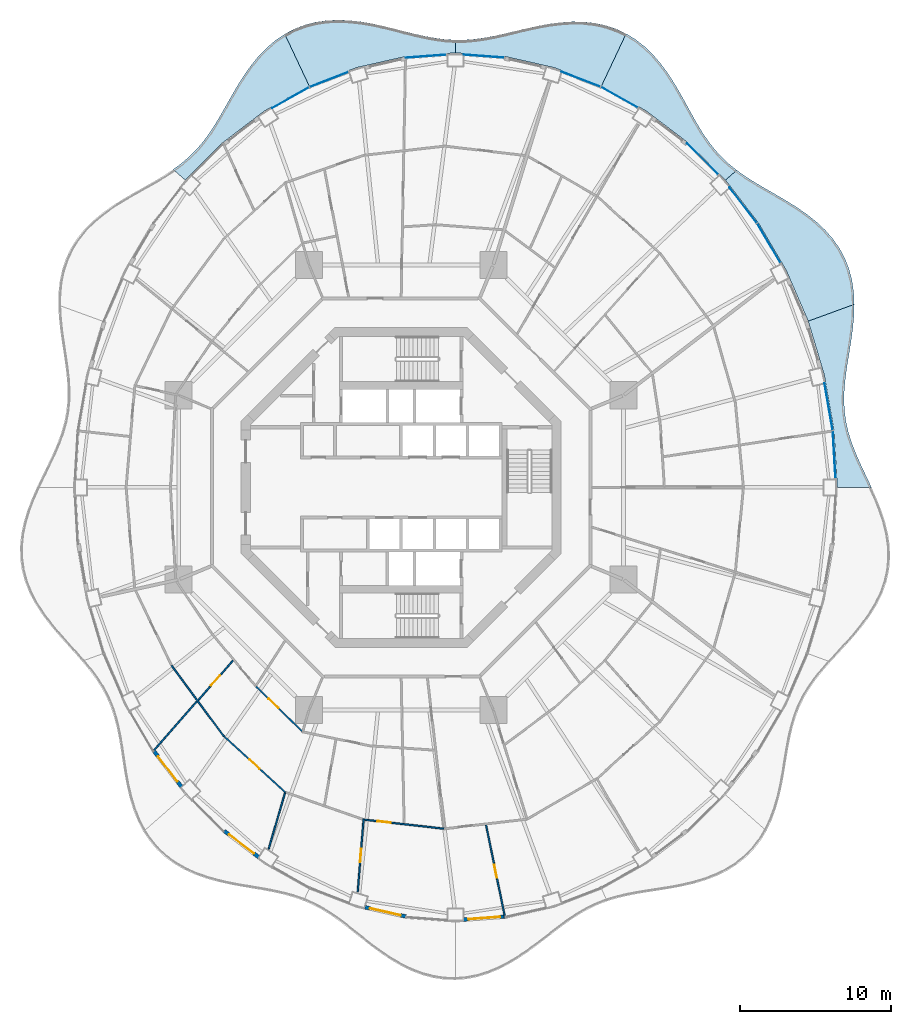
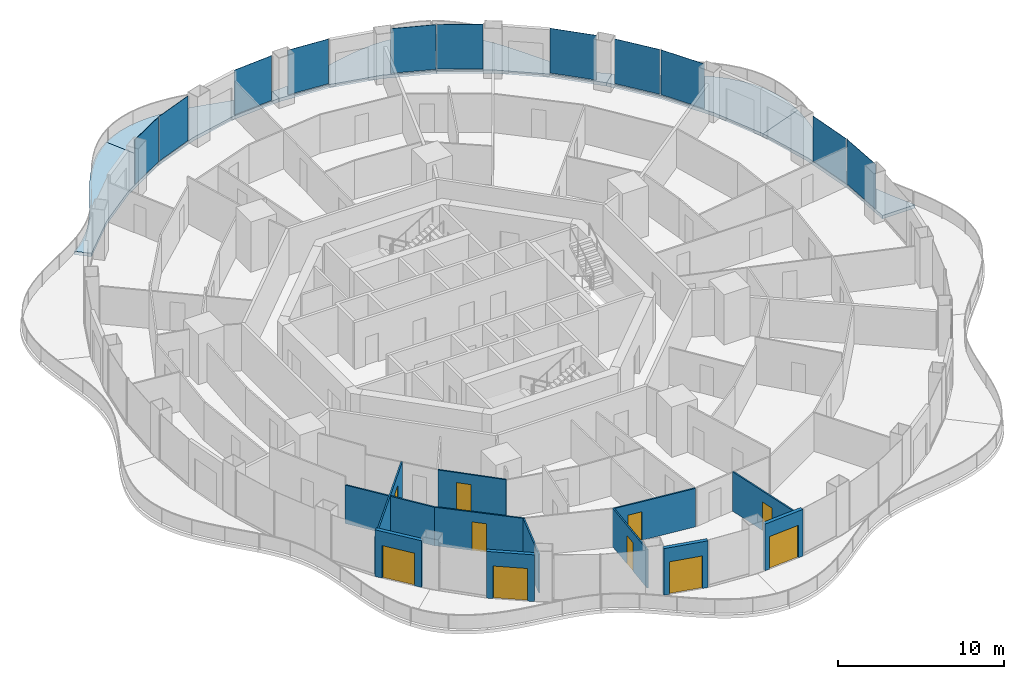
# One storey, part 10 of 19: 12 walls, 11 plates, 10 doors, 6 slabs, 10 openings, 11 elements without a shape of their own.
"""IFC4 building model written with IfcOpenShell, lengths in metres."""

import ifcopenshell
import ifcopenshell.guid

model = None  # the IFC model being written
_history = None  # IfcOwnerHistory: only IFC2X3 demands one
_inside = {}  # id of a spatial element -> (the spatial element, [elements in it])
_under = {}  # id of a project, library or spatial element -> (it, [spatial elements below it])
_declared = {}  # id of a project -> (the project, [libraries it declares])
_typed = {}  # id of a type object -> (the type object, [elements of that type])
_made_of = {}  # id of a material, layer set ... -> (it, [elements and type objects made of it])


def new_model(schema):
    """Start an empty IFC model of exactly this schema.

    Asked for "IFC4X3", IfcOpenShell would pick the latest addendum, in which some entities
    have other attributes; the version numbers below select the first issue.
    IFC2X3 requires an IfcOwnerHistory on every rooted entity: one is made here for all.
    """
    global model, _history
    if schema == "IFC4X3":
        model = ifcopenshell.file(schema_version=(4, 3, 0, 0))
    else:
        model = ifcopenshell.file(schema=schema)
    _inside.clear()
    _under.clear()
    _declared.clear()
    _typed.clear()
    _made_of.clear()
    _history = None
    if model.schema == "IFC2X3":
        org = make("IfcOrganization", Name="unknown")
        user = make(
            "IfcPersonAndOrganization",
            ThePerson=make("IfcPerson", FamilyName="unknown"),
            TheOrganization=org,
        )
        app = make(
            "IfcApplication",
            ApplicationDeveloper=org,
            Version="unknown",
            ApplicationFullName="unknown",
            ApplicationIdentifier="unknown",
        )
        _history = make(
            "IfcOwnerHistory",
            OwningUser=user,
            OwningApplication=app,
            ChangeAction="ADDED",
            CreationDate=0,
        )
    return model


def make(cls, **values):
    """One entity of the class cls with the attributes given. An attribute that is None is left unset."""
    return model.create_entity(
        cls, **{name: value for name, value in values.items() if value is not None}
    )


def rooted(cls, **values):
    """An entity with a GlobalId (a new one), such as an element, a storey or a relation."""
    return make(cls, GlobalId=ifcopenshell.guid.new(), OwnerHistory=_history, **values)


def si_unit(unit_type, name, prefix=None):
    """IfcSIUnit, for example si_unit("LENGTHUNIT", "METRE", prefix="MILLI")."""
    return make("IfcSIUnit", UnitType=unit_type, Prefix=prefix, Name=name)


def assignment(units):
    """IfcUnitAssignment: the units of a project."""
    return None if units is None else make("IfcUnitAssignment", Units=units)


def point(xyz):
    """IfcCartesianPoint."""
    return None if xyz is None else make("IfcCartesianPoint", Coordinates=xyz)


def direction(xyz):
    """IfcDirection."""
    return None if xyz is None else make("IfcDirection", DirectionRatios=xyz)


def frame(location, z_axis=None, x_axis=None):
    """IfcAxis2Placement3D, a coordinate frame: its origin and axes. An axis left out is left unset."""
    return make(
        "IfcAxis2Placement3D",
        Location=point(location),
        Axis=direction(z_axis),
        RefDirection=direction(x_axis),
    )


def frame_2d(location, x_axis=None):
    """IfcAxis2Placement2D, a coordinate frame in the plane: its origin and x axis."""
    return make(
        "IfcAxis2Placement2D", Location=point(location), RefDirection=direction(x_axis)
    )


def origin():
    """The frame at (0, 0, 0) with its axes left unset."""
    return frame((0.0, 0.0, 0.0))


def origin_2d():
    """The frame at (0, 0) in the plane with its x axis left unset."""
    return frame_2d((0.0, 0.0))


def place(relative_to, where):
    """IfcLocalPlacement: puts the frame where relative to a parent placement (None: the world)."""
    return make(
        "IfcLocalPlacement", PlacementRelTo=relative_to, RelativePlacement=where
    )


def context(
    kind, dimensions, precision=None, world=None, true_north=None, identifier=None
):
    """IfcGeometricRepresentationContext, for example the 3D "Model" context."""
    return make(
        "IfcGeometricRepresentationContext",
        ContextIdentifier=identifier,
        ContextType=kind,
        CoordinateSpaceDimension=dimensions,
        Precision=precision,
        WorldCoordinateSystem=world,
        TrueNorth=true_north,
    )


def subcontext(parent, identifier, kind, view, scale=None):
    """IfcGeometricRepresentationSubContext, for example "Body" below "Model"."""
    return make(
        "IfcGeometricRepresentationSubContext",
        ContextIdentifier=identifier,
        ContextType=kind,
        ParentContext=parent,
        TargetScale=scale,
        TargetView=view,
    )


def project(units=None, contexts=None):
    """IfcProject with its units and contexts."""
    return rooted(
        "IfcProject",
        Name="project",
        RepresentationContexts=contexts,
        UnitsInContext=assignment(units),
    )


def spatial(cls, under=None, at=None, **own):
    """A site, building, storey or space (cls), placed at a placement, below another one or the project."""
    s = rooted(cls, ObjectPlacement=at, **own)
    if under is not None:
        _under.setdefault(under.id(), (under, []))[1].append(s)
    return s


def polyline(points):
    """IfcPolyline through the points."""
    return make("IfcPolyline", Points=[point(p) for p in points])


def profile(cls, at=None, kind="AREA", **sizes):
    """A parametric profile (cls). Its sizes go by their IFC names, for example OverallWidth=200.0."""
    return make(cls, ProfileType=kind, Position=at, **sizes)


def rectangle(**sizes):
    """IfcRectangleProfileDef."""
    return profile("IfcRectangleProfileDef", **sizes)


def outline(outer, holes=None, kind="AREA"):
    """IfcArbitraryClosedProfileDef: a profile drawn as a closed curve; with holes, ...WithVoids."""
    if holes is None:
        return make("IfcArbitraryClosedProfileDef", ProfileType=kind, OuterCurve=outer)
    return make(
        "IfcArbitraryProfileDefWithVoids",
        ProfileType=kind,
        OuterCurve=outer,
        InnerCurves=holes,
    )


def extrude(swept, where, along, depth):
    """IfcExtrudedAreaSolid: the profile swept, set in the frame where, extruded along a direction by depth."""
    return make(
        "IfcExtrudedAreaSolid",
        SweptArea=swept,
        Position=where,
        ExtrudedDirection=direction(along),
        Depth=depth,
    )


def shape(context_of_items, identifier, shape_type, items):
    """IfcShapeRepresentation: the items that make up one representation, for example the "Body"."""
    return make(
        "IfcShapeRepresentation",
        ContextOfItems=context_of_items,
        RepresentationIdentifier=identifier,
        RepresentationType=shape_type,
        Items=items,
    )


def material(Name=None, Category=None):
    """IfcMaterial."""
    return make("IfcMaterial", Name=Name, Category=Category)


def layer(
    of_material, thickness, ventilated=None, Name=None, Category=None, Priority=None
):
    """IfcMaterialLayer: one layer of a wall or slab, of a material (None: an air gap)."""
    return make(
        "IfcMaterialLayer",
        Material=of_material,
        LayerThickness=thickness,
        IsVentilated=ventilated,
        Name=Name,
        Category=Category,
        Priority=Priority,
    )


def layer_set(layers, Name=None):
    """IfcMaterialLayerSet."""
    return make("IfcMaterialLayerSet", MaterialLayers=layers, LayerSetName=Name)


def made_of(thing, what):
    """Note that an element or type object is made of a material, layer set ...; save() writes the relation."""
    if what is not None:
        _made_of.setdefault(what.id(), (what, []))[1].append(thing)
    return thing


def type_object(cls, material=None, **own):
    """A type object (cls), such as IfcWallType, which elements share."""
    return made_of(rooted(cls, **own), material)


def element(
    cls,
    number,
    at=None,
    inside=None,
    cuts=None,
    type_object=None,
    material=None,
    context=None,
    identifier="Body",
    shape_type=None,
    held_by="IfcProductDefinitionShape",
    body=None,
    shapes=None,
    **own,
):
    """One element of the class cls, such as IfcWall. Its Tag is "e" and its number.

    at: its placement. inside: the storey or other place that contains it. cuts: it is an
    opening in that element (IfcRelVoidsElement). A single representation is given by context,
    identifier, shape_type and body (its items); several are given by shapes. held_by: the class
    of the entity that holds the representations. save() writes the other relations.
    """
    e = rooted(cls, Tag="e%d" % number, ObjectPlacement=at, **own)
    if body is not None:
        shapes = [shape(context, identifier, shape_type, body)]
    if shapes is not None:
        e.Representation = make(held_by, Representations=shapes)
    if inside is not None:
        _inside.setdefault(inside.id(), (inside, []))[1].append(e)
    if cuts is not None:
        rooted(
            "IfcRelVoidsElement", RelatingBuildingElement=cuts, RelatedOpeningElement=e
        )
    if type_object is not None:
        _typed.setdefault(type_object.id(), (type_object, []))[1].append(e)
    return made_of(e, material)


def fill(opening, filler):
    """IfcRelFillsElement: the door or window that sits in an opening."""
    return rooted(
        "IfcRelFillsElement",
        RelatingOpeningElement=opening,
        RelatedBuildingElement=filler,
    )


def aggregate(whole, parts):
    """IfcRelAggregates: a whole, such as a stair, and the parts it consists of."""
    return rooted("IfcRelAggregates", RelatingObject=whole, RelatedObjects=parts)


def save(model, path):
    """Write the relations noted so far, then the file.

    IfcRelAggregates (storeys below a building ...), IfcRelContainedInSpatialStructure (elements
    in a storey), IfcRelDefinesByType, IfcRelAssociatesMaterial and IfcRelDeclares: one each for
    every whole, place, type object, material and project.
    """
    for whole, parts in _under.values():
        aggregate(whole, parts)
    for where, things in _inside.values():
        rooted(
            "IfcRelContainedInSpatialStructure",
            RelatedElements=things,
            RelatingStructure=where,
        )
    for kind, things in _typed.values():
        rooted("IfcRelDefinesByType", RelatedObjects=things, RelatingType=kind)
    for what, things in _made_of.values():
        rooted("IfcRelAssociatesMaterial", RelatedObjects=things, RelatingMaterial=what)
    for by, libraries in _declared.values():
        rooted("IfcRelDeclares", RelatingContext=by, RelatedDefinitions=libraries)
    model.write(path)


model = new_model("IFC4")

# Units and contexts
model_context = context("Model", 3, precision=1e-05, world=origin(), true_north=direction((0.0, 1.0)))
body_context = subcontext(model_context, "Body", "Model", "MODEL_VIEW")
ifc_project = project(units=[si_unit("LENGTHUNIT", "METRE"), si_unit("AREAUNIT", "SQUARE_METRE"), si_unit("VOLUMEUNIT", "CUBIC_METRE"), si_unit("PLANEANGLEUNIT", "RADIAN"), si_unit("MASSUNIT", "GRAM", prefix="KILO")], contexts=[model_context])

# Site, building, storey
site_placement = place(None, origin())
site = spatial("IfcSite", under=ifc_project, at=site_placement, CompositionType="ELEMENT")
building_placement = place(site_placement, origin())
building = spatial("IfcBuilding", under=site, at=building_placement, Name="Nagisa Residences", CompositionType="ELEMENT")
storey_placement = place(building_placement, frame((0.0, 0.0, 177.0)))
storey = spatial("IfcBuildingStorey", under=building, at=storey_placement, Name="L44", CompositionType="ELEMENT", Elevation=177.0)

# Slabs
ifc_material_1 = material(Name="Concrete C40/50", Category="concrete")
ifc_layer_1 = layer(ifc_material_1, 0.25)
ifc_layer_set_1 = layer_set([ifc_layer_1], Name="BALCONY SLAB 250")
slab_type = type_object("IfcSlabType", Name="BALCONY SLAB 250", PredefinedType="FLOOR", material=ifc_layer_set_1)
slab_1_placement = place(storey_placement, frame((0.0, 0.0, -0.25)))
element("IfcSlab", 1, at=slab_1_placement, inside=storey, type_object=slab_type, Name="slab:L44:bal00", PredefinedType="FLOOR", context=body_context, shape_type="SweptSolid", body=[
    extrude(outline(polyline([(31.24658203125, 0.0), (30.89404296875, 0.745849609375), (30.548583984375, 1.477783203125), (30.228515625, 2.19775390625), (29.94873046875, 2.909423828125), (29.721923828125, 3.617431640625), (29.55615234375, 4.326904296875), (29.455322265625, 5.04296875), (29.418701171875, 5.770751953125), (29.44091796875, 6.51416015625), (29.5126953125, 7.27587890625), (29.62060546875, 8.056884765625), (29.749267578125, 8.856689453125), (29.880126953125, 9.672607421875), (29.99462890625, 10.5), (30.074462890625, 11.332763671875), (30.10205078125, 12.163330078125), (27.04345703125, 11.050048828125), (28.1103515625, 7.473388671875), (28.7578125, 3.76904296875), (28.97509765625, 0.0), (31.24658203125, 0.0)])), origin(), (0.0, 0.0, 1.0), 0.25),
])
slab_2_placement = place(storey_placement, frame((0.0, 0.0, -0.25)))
element("IfcSlab", 2, at=slab_2_placement, inside=storey, type_object=slab_type, Name="slab:L44:bal01", PredefinedType="FLOOR", context=body_context, shape_type="SweptSolid", body=[
    extrude(outline(polyline([(30.10205078125, 12.163330078125), (30.065185546875, 12.958251953125), (29.9541015625, 13.735107421875), (29.76171875, 14.486083984375), (29.484130859375, 15.203857421875), (29.12109375, 15.883056640625), (28.676513671875, 16.518798828125), (28.157958984375, 17.109130859375), (27.5751953125, 17.65380859375), (26.941650390625, 18.155517578125), (26.271240234375, 18.61865234375), (25.57958984375, 19.05029296875), (24.882080078125, 19.459228515625), (24.192626953125, 19.85498046875), (23.524658203125, 20.2490234375), (22.887939453125, 20.652099609375), (22.290283203125, 21.074462890625), (21.542724609375, 20.417724609375), (23.7314453125, 17.577880859375), (25.575439453125, 14.4375), (27.04345703125, 11.050048828125), (30.10205078125, 12.163330078125)])), origin(), (0.0, 0.0, 1.0), 0.25),
])
slab_3_placement = place(storey_placement, frame((0.0, 0.0, -0.25)))
element("IfcSlab", 3, at=slab_3_placement, inside=storey, type_object=slab_type, Name="slab:L44:bal02", PredefinedType="FLOOR", context=body_context, shape_type="SweptSolid", body=[
    extrude(outline(polyline([(22.290283203125, 21.074462890625), (21.7607421875, 21.50390625), (21.271484375, 21.9658203125), (20.8203125, 22.46484375), (20.403076171875, 23.0029296875), (20.01318359375, 23.579833984375), (19.641845703125, 24.1923828125), (19.279541015625, 24.8349609375), (18.915771484375, 25.4990234375), (18.540283203125, 26.174560546875), (18.143310546875, 26.84912109375), (17.7158203125, 27.510009765625), (17.2509765625, 28.14306640625), (16.743408203125, 28.735107421875), (16.190185546875, 29.273681640625), (15.590576171875, 29.747314453125), (14.946533203125, 30.1474609375), (13.310546875, 26.677001953125), (16.28759765625, 25.006591796875), (19.04736328125, 22.907958984375), (21.542724609375, 20.417724609375), (22.290283203125, 21.074462890625)])), origin(), (0.0, 0.0, 1.0), 0.25),
])
slab_4_placement = place(storey_placement, frame((0.0, 0.0, -0.25)))
element("IfcSlab", 4, at=slab_4_placement, inside=storey, type_object=slab_type, Name="slab:L44:bal03", PredefinedType="FLOOR", context=body_context, shape_type="SweptSolid", body=[
    extrude(outline(polyline([(14.946533203125, 30.1474609375), (14.28662109375, 30.4580078125), (13.593505859375, 30.691162109375), (12.873291015625, 30.84765625), (12.133056640625, 30.929931640625), (11.379638671875, 30.943359375), (10.62060546875, 30.896728515625), (9.86279296875, 30.799560546875), (9.11181640625, 30.66455078125), (8.372314453125, 30.50439453125), (7.647705078125, 30.3330078125), (6.939453125, 30.16357421875), (6.248046875, 30.009033203125), (5.571533203125, 29.880126953125), (4.9072265625, 29.7861328125), (4.251708984375, 29.73388671875), (3.60009765625, 29.72705078125), (3.60009765625, 28.875), (6.912109375, 28.6279296875), (10.16748046875, 27.89111328125), (13.310546875, 26.677001953125), (14.946533203125, 30.1474609375)])), origin(), (0.0, 0.0, 1.0), 0.25),
])
slab_5_placement = place(storey_placement, frame((0.0, 0.0, -0.25)))
element("IfcSlab", 5, at=slab_5_placement, inside=storey, type_object=slab_type, Name="slab:L44:bal04", PredefinedType="FLOOR", context=body_context, shape_type="SweptSolid", body=[
    extrude(outline(polyline([(3.60009765625, 29.72705078125), (2.947509765625, 29.766357421875), (2.2890625, 29.849609375), (1.620849609375, 29.971435546875), (0.93896484375, 30.124267578125), (0.241455078125, 30.297607421875), (-0.47265625, 30.479736328125), (-1.20263671875, 30.657470703125), (-1.946533203125, 30.81689453125), (-2.699951171875, 30.94482421875), (-3.45849609375, 31.028564453125), (-4.21533203125, 31.056396484375), (-4.9638671875, 31.019287109375), (-5.69677734375, 30.91015625), (-6.406982421875, 30.724609375), (-7.088134765625, 30.461181640625), (-7.734130859375, 30.121337890625), (-6.110595703125, 26.677001953125), (-2.967529296875, 27.89111328125), (0.287841796875, 28.6279296875), (3.60009765625, 28.875), (3.60009765625, 29.72705078125)])), origin(), (0.0, 0.0, 1.0), 0.25),
])
slab_6_placement = place(storey_placement, frame((0.0, 0.0, -0.25)))
element("IfcSlab", 6, at=slab_6_placement, inside=storey, type_object=slab_type, Name="slab:L44:bal05", PredefinedType="FLOOR", context=body_context, shape_type="SweptSolid", body=[
    extrude(outline(polyline([(-7.734130859375, 30.121337890625), (-8.363037109375, 29.692626953125), (-8.947021484375, 29.193603515625), (-9.485595703125, 28.634521484375), (-9.97998046875, 28.02685546875), (-10.4345703125, 27.38427734375), (-10.85498046875, 26.72021484375), (-11.2490234375, 26.04833984375), (-11.6259765625, 25.38134765625), (-11.995849609375, 24.731201171875), (-12.369140625, 24.106689453125), (-12.755615234375, 23.515380859375), (-13.16455078125, 22.9619140625), (-13.603759765625, 22.44775390625), (-14.07861328125, 21.97265625), (-14.592529296875, 21.533203125), (-15.146240234375, 21.123779296875), (-14.3427734375, 20.417724609375), (-11.847412109375, 22.907958984375), (-9.08740234375, 25.006591796875), (-6.110595703125, 26.677001953125), (-7.734130859375, 30.121337890625)])), origin(), (0.0, 0.0, 1.0), 0.25),
])

# Curtain wall, plate
ifc_material_2 = material(Name="Concrete-coloured aluminium curtain wall system", Category="concrete")
ifc_layer_2 = layer(ifc_material_2, 0.159912109375)
ifc_layer_set_2 = layer_set([ifc_layer_2], Name="CW1 CURTAIN WALL")
curtain_wall_type = type_object("IfcCurtainWallType", Name="CW1 CURTAIN WALL", PredefinedType="NOTDEFINED", material=ifc_layer_set_2)
curtain_wall_1_placement = place(storey_placement, origin())
curtain_wall_1 = element("IfcCurtainWall", 7, at=curtain_wall_1_placement, inside=storey, type_object=curtain_wall_type, Name="cw:CW1:L44:00", PredefinedType="NOTDEFINED")
ifc_material_3 = material(Name="Clear laminated glass", Category="glass")
ifc_layer_3 = layer(ifc_material_3, 0.028076171875)
ifc_layer_set_3 = layer_set([ifc_layer_3], Name="CW1 GLASS PANEL")
plate_type = type_object("IfcPlateType", Name="CW1 GLASS PANEL", PredefinedType="CURTAIN_PANEL", material=ifc_layer_set_3)
plate_1_placement = place(storey_placement, frame((28.76904296875, 2.184326171875, 0.14990234375), z_axis=(0.0, 0.0, 1.0), x_axis=(-0.057503492216, 0.998345305184, 0.0)))
plate_1 = element("IfcPlate", 8, at=plate_1_placement, type_object=plate_type, Name="CW1 panel", PredefinedType="CURTAIN_PANEL", context=body_context, shape_type="SweptSolid", body=[
    extrude(rectangle(XDim=3.165283203125, YDim=0.028076171875, at=origin_2d()), origin(), (0.0, 0.0, 1.0), 3.2900390625),
])
aggregate(curtain_wall_1, [plate_1])

curtain_wall_2_placement = place(storey_placement, origin())
curtain_wall_2 = element("IfcCurtainWall", 9, at=curtain_wall_2_placement, inside=storey, type_object=curtain_wall_type, Name="cw:CW1:L44:01", PredefinedType="NOTDEFINED")
plate_2_placement = place(storey_placement, frame((28.3974609375, 5.365966796875, 0.14990234375), z_axis=(0.0, 0.0, 1.0), x_axis=(-0.172190868898, 0.985063604377, 0.0)))
plate_2 = element("IfcPlate", 10, at=plate_2_placement, type_object=plate_type, Name="CW1 panel", PredefinedType="CURTAIN_PANEL", context=body_context, shape_type="SweptSolid", body=[
    extrude(rectangle(XDim=3.150634765625, YDim=0.028076171875, at=origin_2d()), origin(), (0.0, 0.0, 1.0), 3.2900390625),
])
aggregate(curtain_wall_2, [plate_2])

curtain_wall_3_placement = place(storey_placement, origin())
curtain_wall_3 = element("IfcCurtainWall", 11, at=curtain_wall_3_placement, inside=storey, type_object=curtain_wall_type, Name="cw:CW1:L44:04", PredefinedType="NOTDEFINED")
plate_3_placement = place(storey_placement, frame((24.429931640625, 16.230224609375, 0.14990234375), z_axis=(0.0, 0.0, 1.0), x_axis=(-0.506348567002, 0.862328898214, 0.0)))
plate_3 = element("IfcPlate", 12, at=plate_3_placement, type_object=plate_type, Name="CW1 panel", PredefinedType="CURTAIN_PANEL", context=body_context, shape_type="SweptSolid", body=[
    extrude(rectangle(XDim=3.031982421875, YDim=0.028076171875, at=origin_2d()), origin(), (0.0, 0.0, 1.0), 3.2900390625),
])
aggregate(curtain_wall_3, [plate_3])

curtain_wall_4_placement = place(storey_placement, origin())
curtain_wall_4 = element("IfcCurtainWall", 13, at=curtain_wall_4_placement, inside=storey, type_object=curtain_wall_type, Name="cw:CW1:L44:05", PredefinedType="NOTDEFINED")
plate_4_placement = place(storey_placement, frame((22.723388671875, 18.7548828125, 0.14990234375), z_axis=(0.0, 0.0, 1.0), x_axis=(-0.610429828235, 0.792070340816, 0.0)))
plate_4 = element("IfcPlate", 14, at=plate_4_placement, type_object=plate_type, Name="CW1 panel", PredefinedType="CURTAIN_PANEL", context=body_context, shape_type="SweptSolid", body=[
    extrude(rectangle(XDim=2.97509765625, YDim=0.028076171875, at=origin_2d()), origin(), (0.0, 0.0, 1.0), 3.2900390625),
])
aggregate(curtain_wall_4, [plate_4])

curtain_wall_5_placement = place(storey_placement, origin())
curtain_wall_5 = element("IfcCurtainWall", 15, at=curtain_wall_5_placement, inside=storey, type_object=curtain_wall_type, Name="cw:CW1:L44:06", PredefinedType="NOTDEFINED")
plate_5_placement = place(storey_placement, frame((20.022705078125, 21.82177734375, 0.14990234375), z_axis=(0.0, 0.0, 1.0), x_axis=(-0.707835924016, 0.706376885714, 0.0)))
plate_5 = element("IfcPlate", 16, at=plate_5_placement, type_object=plate_type, Name="CW1 panel", PredefinedType="CURTAIN_PANEL", context=body_context, shape_type="SweptSolid", body=[
    extrude(rectangle(XDim=2.91552734375, YDim=0.028076171875, at=origin_2d()), origin(), (0.0, 0.0, 1.0), 3.2900390625),
])
aggregate(curtain_wall_5, [plate_5])

curtain_wall_6_placement = place(storey_placement, origin())
curtain_wall_6 = element("IfcCurtainWall", 17, at=curtain_wall_6_placement, inside=storey, type_object=curtain_wall_type, Name="cw:CW1:L44:08", PredefinedType="NOTDEFINED")
plate_6_placement = place(storey_placement, frame((14.493896484375, 25.921142578125, 0.14990234375), z_axis=(0.0, 0.0, 1.0), x_axis=(-0.872072377523, 0.489376918501, 0.0)))
plate_6 = element("IfcPlate", 18, at=plate_6_placement, type_object=plate_type, Name="CW1 panel", PredefinedType="CURTAIN_PANEL", context=body_context, shape_type="SweptSolid", body=[
    extrude(rectangle(XDim=2.8037109375, YDim=0.028076171875, at=origin_2d()), origin(), (0.0, 0.0, 1.0), 3.2900390625),
])
aggregate(curtain_wall_6, [plate_6])

curtain_wall_7_placement = place(storey_placement, origin())
curtain_wall_7 = element("IfcCurtainWall", 19, at=curtain_wall_7_placement, inside=storey, type_object=curtain_wall_type, Name="cw:CW1:L44:09", PredefinedType="NOTDEFINED")
plate_7_placement = place(storey_placement, frame((11.938720703125, 27.12109375, 0.14990234375), z_axis=(0.0, 0.0, 1.0), x_axis=(-0.932825759707, 0.360327770268, 0.0)))
plate_7 = element("IfcPlate", 20, at=plate_7_placement, type_object=plate_type, Name="CW1 panel", PredefinedType="CURTAIN_PANEL", context=body_context, shape_type="SweptSolid", body=[
    extrude(rectangle(XDim=2.75927734375, YDim=0.028076171875, at=origin_2d()), origin(), (0.0, 0.0, 1.0), 3.2900390625),
])
aggregate(curtain_wall_7, [plate_7])

curtain_wall_8_placement = place(storey_placement, origin())
curtain_wall_8 = element("IfcCurtainWall", 21, at=curtain_wall_8_placement, inside=storey, type_object=curtain_wall_type, Name="cw:CW1:L44:11", PredefinedType="NOTDEFINED")
plate_8_placement = place(storey_placement, frame((5.494384765625, 28.653564453125, 0.14990234375), z_axis=(0.0, 0.0, 1.0), x_axis=(-0.997230168512, 0.074377355493, 0.0)))
plate_8 = element("IfcPlate", 22, at=plate_8_placement, type_object=plate_type, Name="CW1 panel", PredefinedType="CURTAIN_PANEL", context=body_context, shape_type="SweptSolid", body=[
    extrude(rectangle(XDim=2.711181640625, YDim=0.028076171875, at=origin_2d()), origin(), (0.0, 0.0, 1.0), 3.2900390625),
])
aggregate(curtain_wall_8, [plate_8])

curtain_wall_9_placement = place(storey_placement, origin())
curtain_wall_9 = element("IfcCurtainWall", 23, at=curtain_wall_9_placement, inside=storey, type_object=curtain_wall_type, Name="cw:CW1:L44:12", PredefinedType="NOTDEFINED")
plate_9_placement = place(storey_placement, frame((1.645751953125, 28.64892578125, 0.14990234375), z_axis=(0.0, 0.0, 1.0), x_axis=(-0.997230168512, -0.074377355493, 0.0)))
plate_9 = element("IfcPlate", 24, at=plate_9_placement, type_object=plate_type, Name="CW1 panel", PredefinedType="CURTAIN_PANEL", context=body_context, shape_type="SweptSolid", body=[
    extrude(rectangle(XDim=2.711181640625, YDim=0.028076171875, at=origin_2d()), origin(), (0.0, 0.0, 1.0), 3.2900390625),
])
aggregate(curtain_wall_9, [plate_9])

curtain_wall_10_placement = place(storey_placement, origin())
curtain_wall_10 = element("IfcCurtainWall", 25, at=curtain_wall_10_placement, inside=storey, type_object=curtain_wall_type, Name="cw:CW1:L44:14", PredefinedType="NOTDEFINED")
plate_10_placement = place(storey_placement, frame((-4.794677734375, 27.099609375, 0.14990234375), z_axis=(0.0, 0.0, 1.0), x_axis=(-0.932825759707, -0.360327770268, 0.0)))
plate_10 = element("IfcPlate", 26, at=plate_10_placement, type_object=plate_type, Name="CW1 panel", PredefinedType="CURTAIN_PANEL", context=body_context, shape_type="SweptSolid", body=[
    extrude(rectangle(XDim=2.75927734375, YDim=0.028076171875, at=origin_2d()), origin(), (0.0, 0.0, 1.0), 3.2900390625),
])
aggregate(curtain_wall_10, [plate_10])

curtain_wall_11_placement = place(storey_placement, origin())
curtain_wall_11 = element("IfcCurtainWall", 27, at=curtain_wall_11_placement, inside=storey, type_object=curtain_wall_type, Name="cw:CW1:L44:15", PredefinedType="NOTDEFINED")
plate_11_placement = place(storey_placement, frame((-7.34619140625, 25.891845703125, 0.14990234375), z_axis=(0.0, 0.0, 1.0), x_axis=(-0.872072377523, -0.489376918501, 0.0)))
plate_11 = element("IfcPlate", 28, at=plate_11_placement, type_object=plate_type, Name="CW1 panel", PredefinedType="CURTAIN_PANEL", context=body_context, shape_type="SweptSolid", body=[
    extrude(rectangle(XDim=2.8037109375, YDim=0.028076171875, at=origin_2d()), origin(), (0.0, 0.0, 1.0), 3.2900390625),
])
aggregate(curtain_wall_11, [plate_11])

# Wall
ifc_material_4 = material(Name="Gypsum board on steel studs", Category="steel")
ifc_layer_4 = layer(ifc_material_4, 0.10009765625)
ifc_layer_set_4 = layer_set([ifc_layer_4], Name="Apartment partition 100")
wall_type_1 = type_object("IfcWallType", Name="Apartment partition 100", PredefinedType="PARTITIONING", material=ifc_layer_set_4)
wall_1_placement = place(storey_placement, frame((-15.264892578125, -11.821044921875, 0.0), z_axis=(0.0, 0.0, 1.0), x_axis=(0.594711348772, -0.803939308432, 0.0)))
element("IfcWall", 29, at=wall_1_placement, inside=storey, type_object=wall_type_1, Name="wall:L44:u59", PredefinedType="PARTITIONING", context=body_context, shape_type="SweptSolid", body=[
    extrude(rectangle(XDim=5.87158203125, YDim=0.10009765625, at=frame_2d((2.935791015625, 0.0))), origin(), (0.0, 0.0, 1.0), 2.8369140625),
])

# Wall, opening, door
wall_2_placement = place(storey_placement, frame((-11.16015625, -11.485107421875, 0.0), z_axis=(0.0, 0.0, 1.0), x_axis=(-0.661275898802, -0.750142776852, 0.0)))
wall_2 = element("IfcWall", 30, at=wall_2_placement, inside=storey, type_object=wall_type_1, Name="wall:L44:u60", PredefinedType="PARTITIONING", context=body_context, shape_type="SweptSolid", body=[
    extrude(rectangle(XDim=8.08251953125, YDim=0.10009765625, at=frame_2d((4.041259765625, 0.0))), origin(), (0.0, 0.0, 1.0), 2.905029296875),
])
opening_1_placement = place(wall_2_placement, frame((1.34130859375, 0.0, 0.0)))
opening_1 = element("IfcOpeningElement", 31, at=opening_1_placement, cuts=wall_2, Name="Opening L44-U34", PredefinedType="OPENING", context=body_context, shape_type="SweptSolid", body=[
    extrude(rectangle(XDim=0.89990234375, YDim=2.10009765625, at=frame_2d((0.449951171875, 1.050048828125))), frame((0.0, 0.06005859375, 0.0), z_axis=(0.0, -1.0, 0.0), x_axis=(1.0, 0.0, 0.0)), (0.0, 0.0, 1.0), 0.1201171875),
])
ifc_material_5 = material(Name="Timber door set", Category="wood")
door_type_1 = type_object("IfcDoorType", Name="Apartment door 900x2100", OperationType="NOTDEFINED", PredefinedType="DOOR", material=ifc_material_5)
door_1_placement = place(opening_1_placement, frame((0.89990234375, 0.0, 0.0), x_axis=(-1.0, 0.0, 0.0)))
door_1 = element("IfcDoor", 32, at=door_1_placement, inside=storey, type_object=door_type_1, Name="Door to dining room, Apartment 44B", OperationType="SINGLE_SWING_LEFT", OverallHeight=2.10009765625, OverallWidth=0.89990234375, PredefinedType="DOOR", context=body_context, shape_type="SweptSolid", body=[
    extrude(rectangle(XDim=0.89990234375, YDim=2.10009765625, at=frame_2d((0.449951171875, 1.050048828125))), frame((0.0, 0.02490234375, 0.0), z_axis=(0.0, -1.0, 0.0), x_axis=(1.0, 0.0, 0.0)), (0.0, 0.0, 1.0), 0.050048828125),
])
fill(opening_1, door_1)

wall_3_placement = place(storey_placement, frame((-9.62744140625, -13.238037109375, 0.0), z_axis=(0.0, 0.0, 1.0), x_axis=(0.716946269374, -0.697128429223, 0.0)))
wall_3 = element("IfcWall", 33, at=wall_3_placement, inside=storey, type_object=wall_type_1, Name="wall:L44:u62", PredefinedType="PARTITIONING", context=body_context, shape_type="SweptSolid", body=[
    extrude(rectangle(XDim=4.250244140625, YDim=0.10009765625, at=frame_2d((2.125, 0.0))), origin(), (0.0, 0.0, 1.0), 2.8369140625),
])
opening_2_placement = place(wall_3_placement, frame((1.14501953125, 0.0, 0.0)))
opening_2 = element("IfcOpeningElement", 34, at=opening_2_placement, cuts=wall_3, Name="Opening L44-U33", PredefinedType="OPENING", context=body_context, shape_type="SweptSolid", body=[
    extrude(rectangle(XDim=0.89990234375, YDim=2.10009765625, at=frame_2d((0.449951171875, 1.050048828125))), frame((0.0, 0.06005859375, 0.0), z_axis=(0.0, -1.0, 0.0), x_axis=(1.0, 0.0, 0.0)), (0.0, 0.0, 1.0), 0.1201171875),
])
door_2_placement = place(opening_2_placement, origin())
door_2 = element("IfcDoor", 35, at=door_2_placement, inside=storey, type_object=door_type_1, Name="Door to laundry, Apartment 44B", OperationType="SINGLE_SWING_LEFT", OverallHeight=2.10009765625, OverallWidth=0.89990234375, PredefinedType="DOOR", context=body_context, shape_type="SweptSolid", body=[
    extrude(rectangle(XDim=0.89990234375, YDim=2.10009765625, at=frame_2d((0.449951171875, 1.050048828125))), frame((0.0, 0.02490234375, 0.0), z_axis=(0.0, -1.0, 0.0), x_axis=(1.0, 0.0, 0.0)), (0.0, 0.0, 1.0), 0.050048828125),
])
fill(opening_2, door_2)

wall_4_placement = place(storey_placement, frame((-11.765625, -16.534912109375, 0.0), z_axis=(0.0, 0.0, 1.0), x_axis=(0.738053852169, -0.674741810842, 0.0)))
wall_4 = element("IfcWall", 36, at=wall_4_placement, inside=storey, type_object=wall_type_1, Name="wall:L44:u63", PredefinedType="PARTITIONING", context=body_context, shape_type="SweptSolid", body=[
    extrude(rectangle(XDim=5.549072265625, YDim=0.10009765625, at=frame_2d((2.7744140625, 0.0))), origin(), (0.0, 0.0, 1.0), 2.8369140625),
])
opening_3_placement = place(wall_4_placement, frame((2.299560546875, 0.0, 0.0)))
opening_3 = element("IfcOpeningElement", 37, at=opening_3_placement, cuts=wall_4, Name="Opening L44-U31", PredefinedType="OPENING", context=body_context, shape_type="SweptSolid", body=[
    extrude(rectangle(XDim=0.89990234375, YDim=2.10009765625, at=frame_2d((0.449951171875, 1.050048828125))), frame((0.0, 0.06005859375, 0.0), z_axis=(0.0, -1.0, 0.0), x_axis=(1.0, 0.0, 0.0)), (0.0, 0.0, 1.0), 0.1201171875),
])
door_3_placement = place(opening_3_placement, frame((0.89990234375, 0.0, 0.0), x_axis=(-1.0, 0.0, 0.0)))
door_3 = element("IfcDoor", 38, at=door_3_placement, inside=storey, type_object=door_type_1, Name="Door to kitchen, Apartment 44B", OperationType="SINGLE_SWING_RIGHT", OverallHeight=2.10009765625, OverallWidth=0.89990234375, PredefinedType="DOOR", context=body_context, shape_type="SweptSolid", body=[
    extrude(rectangle(XDim=0.89990234375, YDim=2.10009765625, at=frame_2d((0.449951171875, 1.050048828125))), frame((0.0, 0.02490234375, 0.0), z_axis=(0.0, -1.0, 0.0), x_axis=(1.0, 0.0, 0.0)), (0.0, 0.0, 1.0), 0.050048828125),
])
fill(opening_3, door_3)

# Wall
wall_5_placement = place(storey_placement, frame((-7.720947265625, -20.293212890625, 0.0), z_axis=(0.0, 0.0, 1.0), x_axis=(-0.278445616281, -0.960451997121, 0.0)))
element("IfcWall", 39, at=wall_5_placement, inside=storey, type_object=wall_type_1, Name="wall:L44:u67", PredefinedType="PARTITIONING", context=body_context, shape_type="SweptSolid", body=[
    extrude(rectangle(XDim=3.885009765625, YDim=0.10009765625, at=frame_2d((1.9423828125, 0.0))), origin(), (0.0, 0.0, 1.0), 2.8369140625),
])

# Wall, opening, door
wall_6_placement = place(storey_placement, frame((-2.4951171875, -22.017333984375, 0.0), z_axis=(0.0, 0.0, 1.0), x_axis=(-0.080150660566, -0.99678276049, 0.0)))
wall_6 = element("IfcWall", 40, at=wall_6_placement, inside=storey, type_object=wall_type_1, Name="wall:L44:u71", PredefinedType="PARTITIONING", context=body_context, shape_type="SweptSolid", body=[
    extrude(rectangle(XDim=4.8583984375, YDim=0.10009765625, at=frame_2d((2.42919921875, 0.0))), origin(), (0.0, 0.0, 1.0), 2.8369140625),
])
opening_4_placement = place(wall_6_placement, frame((2.004150390625, 0.0, 0.0)))
opening_4 = element("IfcOpeningElement", 41, at=opening_4_placement, cuts=wall_6, Name="Opening L44-U28", PredefinedType="OPENING", context=body_context, shape_type="SweptSolid", body=[
    extrude(rectangle(XDim=0.89990234375, YDim=2.10009765625, at=frame_2d((0.449951171875, 1.050048828125))), frame((0.0, 0.06005859375, 0.0), z_axis=(0.0, -1.0, 0.0), x_axis=(1.0, 0.0, 0.0)), (0.0, 0.0, 1.0), 0.1201171875),
])
door_4_placement = place(opening_4_placement, frame((0.89990234375, 0.0, 0.0), x_axis=(-1.0, 0.0, 0.0)))
door_4 = element("IfcDoor", 42, at=door_4_placement, inside=storey, type_object=door_type_1, Name="Door to bedroom, Apartment 44B", OperationType="SINGLE_SWING_LEFT", OverallHeight=2.10009765625, OverallWidth=0.89990234375, PredefinedType="DOOR", context=body_context, shape_type="SweptSolid", body=[
    extrude(rectangle(XDim=0.89990234375, YDim=2.10009765625, at=frame_2d((0.449951171875, 1.050048828125))), frame((0.0, 0.02490234375, 0.0), z_axis=(0.0, -1.0, 0.0), x_axis=(1.0, 0.0, 0.0)), (0.0, 0.0, 1.0), 0.050048828125),
])
fill(opening_4, door_4)

wall_7_placement = place(storey_placement, frame((-2.449462890625, -22.07275390625, 0.0), z_axis=(0.0, 0.0, 1.0), x_axis=(0.993660315081, -0.112424099879, 0.0)))
wall_7 = element("IfcWall", 43, at=wall_7_placement, inside=storey, type_object=wall_type_1, Name="wall:L44:u72", PredefinedType="PARTITIONING", context=body_context, shape_type="SweptSolid", body=[
    extrude(rectangle(XDim=5.32470703125, YDim=0.10009765625, at=frame_2d((2.662353515625, 0.0))), origin(), (0.0, 0.0, 1.0), 2.8369140625),
])
opening_5_placement = place(wall_7_placement, frame((0.881103515625, 0.0, 0.0)))
opening_5 = element("IfcOpeningElement", 44, at=opening_5_placement, cuts=wall_7, Name="Opening L44-U27", PredefinedType="OPENING", context=body_context, shape_type="SweptSolid", body=[
    extrude(rectangle(XDim=0.89990234375, YDim=2.10009765625, at=frame_2d((0.449951171875, 1.050048828125))), frame((0.0, 0.06005859375, 0.0), z_axis=(0.0, -1.0, 0.0), x_axis=(1.0, 0.0, 0.0)), (0.0, 0.0, 1.0), 0.1201171875),
])
door_5_placement = place(opening_5_placement, origin())
door_5 = element("IfcDoor", 45, at=door_5_placement, inside=storey, type_object=door_type_1, Name="Door to family room, Apartment 44B", OperationType="SINGLE_SWING_LEFT", OverallHeight=2.10009765625, OverallWidth=0.89990234375, PredefinedType="DOOR", context=body_context, shape_type="SweptSolid", body=[
    extrude(rectangle(XDim=0.89990234375, YDim=2.10009765625, at=frame_2d((0.449951171875, 1.050048828125))), frame((0.0, 0.02490234375, 0.0), z_axis=(0.0, -1.0, 0.0), x_axis=(1.0, 0.0, 0.0)), (0.0, 0.0, 1.0), 0.050048828125),
])
fill(opening_5, door_5)

wall_8_placement = place(storey_placement, frame((5.636474609375, -22.40673828125, 0.0), z_axis=(0.0, 0.0, 1.0), x_axis=(0.200860375092, -0.979619880218, 0.0)))
wall_8 = element("IfcWall", 46, at=wall_8_placement, inside=storey, type_object=wall_type_1, Name="wall:L44:u76", PredefinedType="PARTITIONING", context=body_context, shape_type="SweptSolid", body=[
    extrude(rectangle(XDim=6.310791015625, YDim=0.10009765625, at=frame_2d((3.1552734375, 0.0))), origin(), (0.0, 0.0, 1.0), 2.905029296875),
])
opening_6_placement = place(wall_8_placement, frame((2.705322265625, 0.0, 0.0)))
opening_6 = element("IfcOpeningElement", 47, at=opening_6_placement, cuts=wall_8, Name="Opening L44-U25", PredefinedType="OPENING", context=body_context, shape_type="SweptSolid", body=[
    extrude(rectangle(XDim=0.89990234375, YDim=2.10009765625, at=frame_2d((0.449951171875, 1.050048828125))), frame((0.0, 0.06005859375, 0.0), z_axis=(0.0, -1.0, 0.0), x_axis=(1.0, 0.0, 0.0)), (0.0, 0.0, 1.0), 0.1201171875),
])
door_6_placement = place(opening_6_placement, origin())
door_6 = element("IfcDoor", 48, at=door_6_placement, inside=storey, type_object=door_type_1, Name="Door to master bedroom, Apartment 44B", OperationType="SINGLE_SWING_LEFT", OverallHeight=2.10009765625, OverallWidth=0.89990234375, PredefinedType="DOOR", context=body_context, shape_type="SweptSolid", body=[
    extrude(rectangle(XDim=0.89990234375, YDim=2.10009765625, at=frame_2d((0.449951171875, 1.050048828125))), frame((0.0, 0.02490234375, 0.0), z_axis=(0.0, -1.0, 0.0), x_axis=(1.0, 0.0, 0.0)), (0.0, 0.0, 1.0), 0.050048828125),
])
fill(opening_6, door_6)

ifc_material_6 = material(Name="Precast concrete C40/50", Category="concrete")
ifc_layer_5 = layer(ifc_material_6, 0.25)
ifc_layer_set_5 = layer_set([ifc_layer_5], Name="BALCONY DOOR WALL 250")
wall_type_2 = type_object("IfcWallType", Name="BALCONY DOOR WALL 250", PredefinedType="SOLIDWALL", material=ifc_layer_set_5)
wall_9_placement = place(storey_placement, frame((-14.57958984375, -19.90576171875, 0.0), z_axis=(0.0, 0.0, 1.0), x_axis=(-0.610437428894, 0.79206448311, 0.0)))
wall_9 = element("IfcWall", 49, at=wall_9_placement, inside=storey, type_object=wall_type_2, Name="wall:L44:bay29", PredefinedType="SOLIDWALL", context=body_context, shape_type="SweptSolid", body=[
    extrude(rectangle(XDim=3.03515625, YDim=0.25, at=frame_2d((1.517578125, 0.0))), origin(), (0.0, 0.0, 1.0), 3.43994140625),
])
opening_7_placement = place(wall_9_placement, frame((0.467529296875, 0.0, 0.0)))
opening_7 = element("IfcOpeningElement", 50, at=opening_7_placement, cuts=wall_9, Name="Opening BD-L44-10", PredefinedType="OPENING", context=body_context, shape_type="SweptSolid", body=[
    extrude(rectangle(XDim=2.10009765625, YDim=2.39990234375, at=frame_2d((1.050048828125, 1.199951171875))), frame((0.0, 0.135009765625, 0.0), z_axis=(0.0, -1.0, 0.0), x_axis=(1.0, 0.0, 0.0)), (0.0, 0.0, 1.0), 0.27001953125),
])
ifc_material_7 = material(Name="Aluminium and clear glass", Category="aluminium")
door_type_2 = type_object("IfcDoorType", Name="BALCONY SLIDING DOOR 2100x2400", OperationType="SLIDING_TO_LEFT", PredefinedType="DOOR", material=ifc_material_7)
door_7_placement = place(opening_7_placement, origin())
door_7 = element("IfcDoor", 51, at=door_7_placement, inside=storey, type_object=door_type_2, Name="door:L44:bay29", OperationType="SLIDING_TO_LEFT", OverallHeight=2.39990234375, OverallWidth=2.10009765625, PredefinedType="DOOR", context=body_context, shape_type="SweptSolid", body=[
    extrude(rectangle(XDim=2.10009765625, YDim=2.39990234375, at=frame_2d((1.050048828125, 1.199951171875))), frame((0.0, 0.02490234375, 0.0), z_axis=(0.0, -1.0, 0.0), x_axis=(1.0, 0.0, 0.0)), (0.0, 0.0, 1.0), 0.050048828125),
])
fill(opening_7, door_7)

wall_10_placement = place(storey_placement, frame((-9.44970703125, -24.573974609375, 0.0), z_axis=(0.0, 0.0, 1.0), x_axis=(-0.796055733703, 0.60522332146, 0.0)))
wall_10 = element("IfcWall", 52, at=wall_10_placement, inside=storey, type_object=wall_type_2, Name="wall:L44:bay31", PredefinedType="SOLIDWALL", context=body_context, shape_type="SweptSolid", body=[
    extrude(rectangle(XDim=2.9169921875, YDim=0.25, at=frame_2d((1.45849609375, 0.0))), origin(), (0.0, 0.0, 1.0), 3.43994140625),
])
opening_8_placement = place(wall_10_placement, frame((0.408447265625, 0.0, 0.0)))
opening_8 = element("IfcOpeningElement", 53, at=opening_8_placement, cuts=wall_10, Name="Opening BD-L44-11", PredefinedType="OPENING", context=body_context, shape_type="SweptSolid", body=[
    extrude(rectangle(XDim=2.10009765625, YDim=2.39990234375, at=frame_2d((1.050048828125, 1.199951171875))), frame((0.0, 0.135009765625, 0.0), z_axis=(0.0, -1.0, 0.0), x_axis=(1.0, 0.0, 0.0)), (0.0, 0.0, 1.0), 0.27001953125),
])
door_8_placement = place(opening_8_placement, origin())
door_8 = element("IfcDoor", 54, at=door_8_placement, inside=storey, type_object=door_type_2, Name="door:L44:bay31", OperationType="SLIDING_TO_LEFT", OverallHeight=2.39990234375, OverallWidth=2.10009765625, PredefinedType="DOOR", context=body_context, shape_type="SweptSolid", body=[
    extrude(rectangle(XDim=2.10009765625, YDim=2.39990234375, at=frame_2d((1.050048828125, 1.199951171875))), frame((0.0, 0.02490234375, 0.0), z_axis=(0.0, -1.0, 0.0), x_axis=(1.0, 0.0, 0.0)), (0.0, 0.0, 1.0), 0.050048828125),
])
fill(opening_8, door_8)

wall_11_placement = place(storey_placement, frame((0.3154296875, -28.506103515625, 0.0), z_axis=(0.0, 0.0, 1.0), x_axis=(-0.975324329911, 0.220776926974, 0.0)))
wall_11 = element("IfcWall", 55, at=wall_11_placement, inside=storey, type_object=wall_type_2, Name="wall:L44:bay34", PredefinedType="SOLIDWALL", context=body_context, shape_type="SweptSolid", body=[
    extrude(rectangle(XDim=2.787841796875, YDim=0.25, at=frame_2d((1.39404296875, 0.0))), origin(), (0.0, 0.0, 1.0), 3.43994140625),
])
opening_9_placement = place(wall_11_placement, frame((0.343994140625, 0.0, 0.0)))
opening_9 = element("IfcOpeningElement", 56, at=opening_9_placement, cuts=wall_11, Name="Opening BD-L44-12", PredefinedType="OPENING", context=body_context, shape_type="SweptSolid", body=[
    extrude(rectangle(XDim=2.10009765625, YDim=2.39990234375, at=frame_2d((1.050048828125, 1.199951171875))), frame((0.0, 0.135009765625, 0.0), z_axis=(0.0, -1.0, 0.0), x_axis=(1.0, 0.0, 0.0)), (0.0, 0.0, 1.0), 0.27001953125),
])
door_9_placement = place(opening_9_placement, origin())
door_9 = element("IfcDoor", 57, at=door_9_placement, inside=storey, type_object=door_type_2, Name="door:L44:bay34", OperationType="SLIDING_TO_LEFT", OverallHeight=2.39990234375, OverallWidth=2.10009765625, PredefinedType="DOOR", context=body_context, shape_type="SweptSolid", body=[
    extrude(rectangle(XDim=2.10009765625, YDim=2.39990234375, at=frame_2d((1.050048828125, 1.199951171875))), frame((0.0, 0.02490234375, 0.0), z_axis=(0.0, -1.0, 0.0), x_axis=(1.0, 0.0, 0.0)), (0.0, 0.0, 1.0), 0.050048828125),
])
fill(opening_9, door_9)

wall_12_placement = place(storey_placement, frame((6.90283203125, -28.50341796875, 0.0), z_axis=(0.0, 0.0, 1.0), x_axis=(-0.997232064422, -0.074351931305, 0.0)))
wall_12 = element("IfcWall", 58, at=wall_12_placement, inside=storey, type_object=wall_type_2, Name="wall:L44:bay36", PredefinedType="SOLIDWALL", context=body_context, shape_type="SweptSolid", body=[
    extrude(rectangle(XDim=2.771240234375, YDim=0.25, at=frame_2d((1.3857421875, 0.0))), origin(), (0.0, 0.0, 1.0), 3.43994140625),
])
opening_10_placement = place(wall_12_placement, frame((0.335693359375, 0.0, 0.0)))
opening_10 = element("IfcOpeningElement", 59, at=opening_10_placement, cuts=wall_12, Name="Opening BD-L44-13", PredefinedType="OPENING", context=body_context, shape_type="SweptSolid", body=[
    extrude(rectangle(XDim=2.10009765625, YDim=2.39990234375, at=frame_2d((1.050048828125, 1.199951171875))), frame((0.0, 0.135009765625, 0.0), z_axis=(0.0, -1.0, 0.0), x_axis=(1.0, 0.0, 0.0)), (0.0, 0.0, 1.0), 0.27001953125),
])
door_10_placement = place(opening_10_placement, origin())
door_10 = element("IfcDoor", 60, at=door_10_placement, inside=storey, type_object=door_type_2, Name="door:L44:bay36", OperationType="SLIDING_TO_LEFT", OverallHeight=2.39990234375, OverallWidth=2.10009765625, PredefinedType="DOOR", context=body_context, shape_type="SweptSolid", body=[
    extrude(rectangle(XDim=2.10009765625, YDim=2.39990234375, at=frame_2d((1.050048828125, 1.199951171875))), frame((0.0, 0.02490234375, 0.0), z_axis=(0.0, -1.0, 0.0), x_axis=(1.0, 0.0, 0.0)), (0.0, 0.0, 1.0), 0.050048828125),
])
fill(opening_10, door_10)

save(model, "model.ifc")
